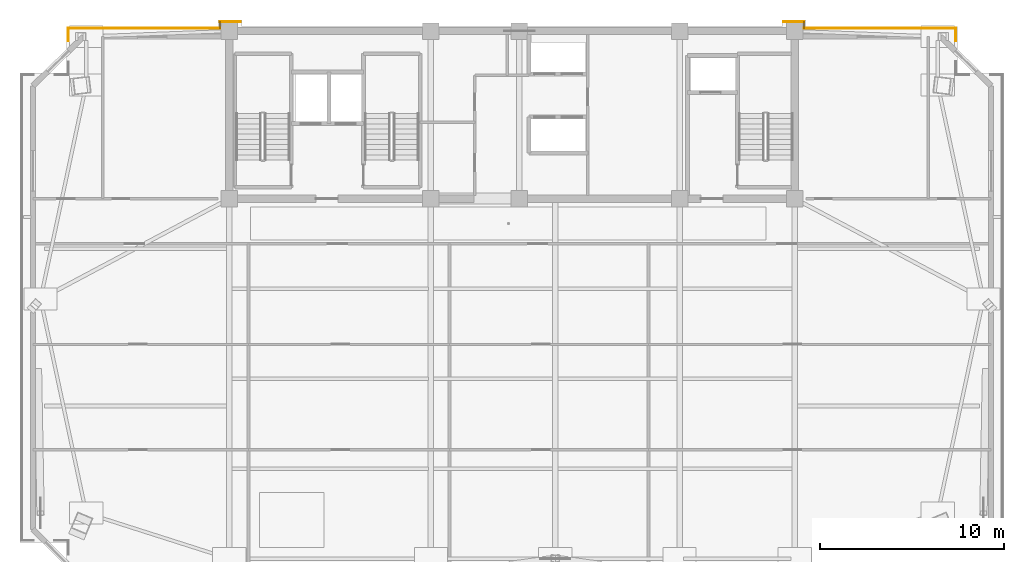
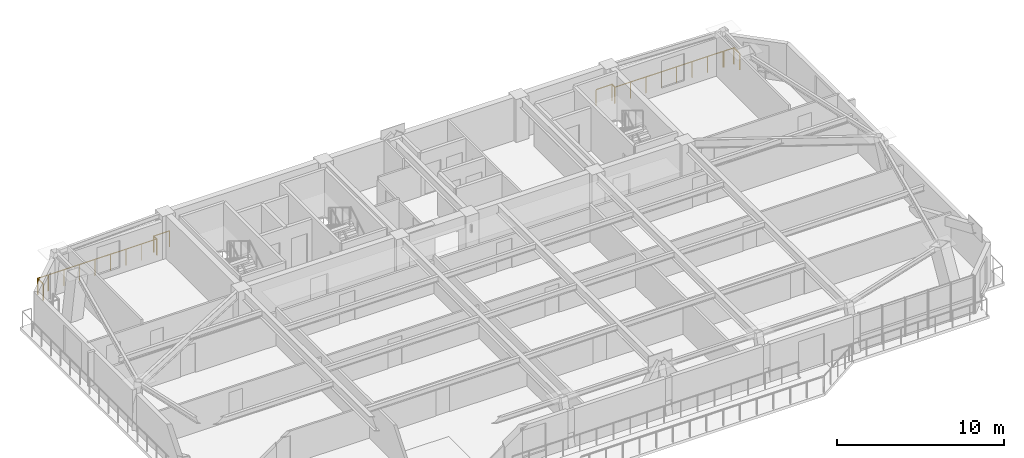
# One storey, part 15 of 15: 10 railings.
"""IFC4 building model written with IfcOpenShell, lengths in metres."""

from ifc_helpers import new_model, si_unit, direction, frame, origin, origin_2d, place, context, subcontext, project, spatial, rectangle, extrude, material, type_object, element, save


model = new_model("IFC4")

# Units and contexts
model_context = context("Model", 3, precision=1e-05, world=origin(), true_north=direction((0.0, 1.0)))
body_context = subcontext(model_context, "Body", "Model", "MODEL_VIEW")
ifc_project = project(units=[si_unit("LENGTHUNIT", "METRE"), si_unit("AREAUNIT", "SQUARE_METRE"), si_unit("VOLUMEUNIT", "CUBIC_METRE"), si_unit("PLANEANGLEUNIT", "RADIAN"), si_unit("MASSUNIT", "GRAM", prefix="KILO")], contexts=[model_context])

# Site, building, storey
site_placement = place(None, origin())
site = spatial("IfcSite", under=ifc_project, at=site_placement, CompositionType="ELEMENT")
building_placement = place(site_placement, origin())
building = spatial("IfcBuilding", under=site, at=building_placement, Name="Giltprow Tower", CompositionType="ELEMENT")
storey_placement = place(building_placement, frame((0.0, 0.0, 275.699951171875)))
storey = spatial("IfcBuildingStorey", under=building, at=storey_placement, Name="L71", CompositionType="ELEMENT", Elevation=275.699951171875)

# Railings
ifc_material = material(Name="Anodized bronze", Category="metal")
railing_type = type_object("IfcRailingType", Name="RAIL-BALC-GUARD-1200", PredefinedType="BALUSTRADE", material=ifc_material)
railing_1_placement = place(storey_placement, frame((11.116943359375, 46.01904296875, 0.0)))
element("IfcRailing", 1, at=railing_1_placement, inside=storey, type_object=railing_type, Name="L71 Corner Apron Edge Balustrade 17", PredefinedType="BALUSTRADE", context=body_context, shape_type="SweptSolid", body=[
    extrude(rectangle(XDim=0.048095703125, YDim=0.048095703125, at=origin_2d()), frame((0.0, 0.0, 1.17578125), z_axis=(0.0, 1.0, 0.0), x_axis=(-1.0, 0.0, 0.0)), (0.0, 0.0, 1.0), 0.680908203125),
    extrude(rectangle(XDim=0.0419921875, YDim=0.0419921875, at=origin_2d()), origin(), (0.0, 0.0, 1.0), 1.15185546875),
    extrude(rectangle(XDim=0.0419921875, YDim=0.0419921875, at=origin_2d()), frame((0.0, 0.680908203125, 0.0)), (0.0, 0.0, 1.0), 1.15185546875),
])
railing_2_placement = place(storey_placement, frame((11.116943359375, 46.699951171875, 0.0)))
element("IfcRailing", 2, at=railing_2_placement, inside=storey, type_object=railing_type, Name="L71 Corner Apron Edge Balustrade 18", PredefinedType="BALUSTRADE", context=body_context, shape_type="SweptSolid", body=[
    extrude(rectangle(XDim=0.048095703125, YDim=0.048095703125, at=origin_2d()), frame((0.0, 0.0, 1.17578125), z_axis=(1.0, 0.0, 0.0), x_axis=(0.0, 1.0, 0.0)), (0.0, 0.0, 1.0), 0.699951171875),
    extrude(rectangle(XDim=0.0419921875, YDim=0.0419921875, at=origin_2d()), origin(), (0.0, 0.0, 1.0), 1.15185546875),
    extrude(rectangle(XDim=0.0419921875, YDim=0.0419921875, at=origin_2d()), frame((0.699951171875, 0.0, 0.0)), (0.0, 0.0, 1.0), 1.15185546875),
])
railing_3_placement = place(storey_placement, frame((11.866943359375, 46.699951171875, 0.0)))
element("IfcRailing", 3, at=railing_3_placement, inside=storey, type_object=railing_type, Name="L71 Corner Apron Edge Balustrade 19", PredefinedType="BALUSTRADE", context=body_context, shape_type="SweptSolid", body=[
    extrude(rectangle(XDim=0.048095703125, YDim=0.048095703125, at=origin_2d()), frame((0.0, 0.0, 1.17578125), z_axis=(1.0, 0.0, 0.0), x_axis=(0.0, 1.0, 0.0)), (0.0, 0.0, 1.0), 7.483154296875),
    extrude(rectangle(XDim=0.0419921875, YDim=0.0419921875, at=origin_2d()), origin(), (0.0, 0.0, 1.0), 1.15185546875),
    extrude(rectangle(XDim=0.0419921875, YDim=0.0419921875, at=origin_2d()), frame((1.069091796875, 0.0, 0.0)), (0.0, 0.0, 1.0), 1.15185546875),
    extrude(rectangle(XDim=0.0419921875, YDim=0.0419921875, at=origin_2d()), frame((2.137939453125, 0.0, 0.0)), (0.0, 0.0, 1.0), 1.15185546875),
    extrude(rectangle(XDim=0.0419921875, YDim=0.0419921875, at=origin_2d()), frame((3.20703125, 0.0, 0.0)), (0.0, 0.0, 1.0), 1.15185546875),
    extrude(rectangle(XDim=0.0419921875, YDim=0.0419921875, at=origin_2d()), frame((4.276123046875, 0.0, 0.0)), (0.0, 0.0, 1.0), 1.15185546875),
    extrude(rectangle(XDim=0.0419921875, YDim=0.0419921875, at=origin_2d()), frame((5.34521484375, 0.0, 0.0)), (0.0, 0.0, 1.0), 1.15185546875),
    extrude(rectangle(XDim=0.0419921875, YDim=0.0419921875, at=origin_2d()), frame((6.4140625, 0.0, 0.0)), (0.0, 0.0, 1.0), 1.15185546875),
    extrude(rectangle(XDim=0.0419921875, YDim=0.0419921875, at=origin_2d()), frame((7.483154296875, 0.0, 0.0)), (0.0, 0.0, 1.0), 1.15185546875),
])
railing_4_placement = place(storey_placement, frame((19.35009765625, 46.699951171875, 0.0)))
element("IfcRailing", 4, at=railing_4_placement, inside=storey, type_object=railing_type, Name="L71 Corner Apron Edge Balustrade 20", PredefinedType="BALUSTRADE", context=body_context, shape_type="SweptSolid", body=[
    extrude(rectangle(XDim=0.048095703125, YDim=0.048095703125, at=origin_2d()), frame((0.0, 0.0, 1.17578125), z_axis=(0.0, 1.0, 0.0), x_axis=(-1.0, 0.0, 0.0)), (0.0, 0.0, 1.0), 0.35009765625),
    extrude(rectangle(XDim=0.0419921875, YDim=0.0419921875, at=origin_2d()), origin(), (0.0, 0.0, 1.0), 1.15185546875),
    extrude(rectangle(XDim=0.0419921875, YDim=0.0419921875, at=origin_2d()), frame((0.0, 0.35009765625, 0.0)), (0.0, 0.0, 1.0), 1.15185546875),
])
railing_5_placement = place(storey_placement, frame((19.35009765625, 47.050048828125, 0.0)))
element("IfcRailing", 5, at=railing_5_placement, inside=storey, type_object=railing_type, Name="L71 Corner Apron Edge Balustrade 21", PredefinedType="BALUSTRADE", context=body_context, shape_type="SweptSolid", body=[
    extrude(rectangle(XDim=0.048095703125, YDim=0.048095703125, at=origin_2d()), frame((0.0, 0.0, 1.17578125), z_axis=(1.0, 0.0, 0.0), x_axis=(0.0, 1.0, 0.0)), (0.0, 0.0, 1.0), 1.099853515625),
    extrude(rectangle(XDim=0.0419921875, YDim=0.0419921875, at=origin_2d()), origin(), (0.0, 0.0, 1.0), 1.15185546875),
    extrude(rectangle(XDim=0.0419921875, YDim=0.0419921875, at=origin_2d()), frame((1.099853515625, 0.0, 0.0)), (0.0, 0.0, 1.0), 1.15185546875),
])
railing_6_placement = place(storey_placement, frame((49.949951171875, 47.050048828125, 0.0)))
element("IfcRailing", 6, at=railing_6_placement, inside=storey, type_object=railing_type, Name="L71 Corner Apron Edge Balustrade 22", PredefinedType="BALUSTRADE", context=body_context, shape_type="SweptSolid", body=[
    extrude(rectangle(XDim=0.048095703125, YDim=0.048095703125, at=origin_2d()), frame((0.0, 0.0, 1.17578125), z_axis=(1.0, 0.0, 0.0), x_axis=(0.0, 1.0, 0.0)), (0.0, 0.0, 1.0), 1.10009765625),
    extrude(rectangle(XDim=0.0419921875, YDim=0.0419921875, at=origin_2d()), origin(), (0.0, 0.0, 1.0), 1.15185546875),
    extrude(rectangle(XDim=0.0419921875, YDim=0.0419921875, at=origin_2d()), frame((1.10009765625, 0.0, 0.0)), (0.0, 0.0, 1.0), 1.15185546875),
])
railing_7_placement = place(storey_placement, frame((51.050048828125, 47.050048828125, 0.0)))
element("IfcRailing", 7, at=railing_7_placement, inside=storey, type_object=railing_type, Name="L71 Corner Apron Edge Balustrade 23", PredefinedType="BALUSTRADE", context=body_context, shape_type="SweptSolid", body=[
    extrude(rectangle(XDim=0.048095703125, YDim=0.048095703125, at=origin_2d()), frame((0.0, 0.0, 1.17578125), z_axis=(0.0, -1.0, 0.0), x_axis=(1.0, 0.0, 0.0)), (0.0, 0.0, 1.0), 0.35009765625),
    extrude(rectangle(XDim=0.0419921875, YDim=0.0419921875, at=origin_2d()), origin(), (0.0, 0.0, 1.0), 1.15185546875),
    extrude(rectangle(XDim=0.0419921875, YDim=0.0419921875, at=origin_2d()), frame((0.0, -0.35009765625, 0.0)), (0.0, 0.0, 1.0), 1.15185546875),
])
railing_8_placement = place(storey_placement, frame((51.050048828125, 46.699951171875, 0.0)))
element("IfcRailing", 8, at=railing_8_placement, inside=storey, type_object=railing_type, Name="L71 Corner Apron Edge Balustrade 24", PredefinedType="BALUSTRADE", context=body_context, shape_type="SweptSolid", body=[
    extrude(rectangle(XDim=0.048095703125, YDim=0.048095703125, at=origin_2d()), frame((0.0, 0.0, 1.17578125), z_axis=(1.0, 0.0, 0.0), x_axis=(0.0, 1.0, 0.0)), (0.0, 0.0, 1.0), 7.48388671875),
    extrude(rectangle(XDim=0.0419921875, YDim=0.0419921875, at=origin_2d()), origin(), (0.0, 0.0, 1.0), 1.15185546875),
    extrude(rectangle(XDim=0.0419921875, YDim=0.0419921875, at=origin_2d()), frame((1.069091796875, 0.0, 0.0)), (0.0, 0.0, 1.0), 1.15185546875),
    extrude(rectangle(XDim=0.0419921875, YDim=0.0419921875, at=origin_2d()), frame((2.13818359375, 0.0, 0.0)), (0.0, 0.0, 1.0), 1.15185546875),
    extrude(rectangle(XDim=0.0419921875, YDim=0.0419921875, at=origin_2d()), frame((3.207275390625, 0.0, 0.0)), (0.0, 0.0, 1.0), 1.15185546875),
    extrude(rectangle(XDim=0.0419921875, YDim=0.0419921875, at=origin_2d()), frame((4.276611328125, 0.0, 0.0)), (0.0, 0.0, 1.0), 1.15185546875),
    extrude(rectangle(XDim=0.0419921875, YDim=0.0419921875, at=origin_2d()), frame((5.345703125, 0.0, 0.0)), (0.0, 0.0, 1.0), 1.15185546875),
    extrude(rectangle(XDim=0.0419921875, YDim=0.0419921875, at=origin_2d()), frame((6.414794921875, 0.0, 0.0)), (0.0, 0.0, 1.0), 1.15185546875),
    extrude(rectangle(XDim=0.0419921875, YDim=0.0419921875, at=origin_2d()), frame((7.48388671875, 0.0, 0.0)), (0.0, 0.0, 1.0), 1.15185546875),
])
railing_9_placement = place(storey_placement, frame((58.583984375, 46.699951171875, 0.0)))
element("IfcRailing", 9, at=railing_9_placement, inside=storey, type_object=railing_type, Name="L71 Corner Apron Edge Balustrade 25", PredefinedType="BALUSTRADE", context=body_context, shape_type="SweptSolid", body=[
    extrude(rectangle(XDim=0.048095703125, YDim=0.048095703125, at=origin_2d()), frame((0.0, 0.0, 1.17578125), z_axis=(1.0, 0.0, 0.0), x_axis=(0.0, 1.0, 0.0)), (0.0, 0.0, 1.0), 0.698974609375),
    extrude(rectangle(XDim=0.0419921875, YDim=0.0419921875, at=origin_2d()), origin(), (0.0, 0.0, 1.0), 1.15185546875),
    extrude(rectangle(XDim=0.0419921875, YDim=0.0419921875, at=origin_2d()), frame((0.698974609375, 0.0, 0.0)), (0.0, 0.0, 1.0), 1.15185546875),
])
railing_10_placement = place(storey_placement, frame((59.282958984375, 46.699951171875, 0.0)))
element("IfcRailing", 10, at=railing_10_placement, inside=storey, type_object=railing_type, Name="L71 Corner Apron Edge Balustrade 26", PredefinedType="BALUSTRADE", context=body_context, shape_type="SweptSolid", body=[
    extrude(rectangle(XDim=0.048095703125, YDim=0.048095703125, at=origin_2d()), frame((0.0, 0.0, 1.17578125), z_axis=(0.0, -1.0, 0.0), x_axis=(1.0, 0.0, 0.0)), (0.0, 0.0, 1.0), 0.679931640625),
    extrude(rectangle(XDim=0.0419921875, YDim=0.0419921875, at=origin_2d()), origin(), (0.0, 0.0, 1.0), 1.15185546875),
    extrude(rectangle(XDim=0.0419921875, YDim=0.0419921875, at=origin_2d()), frame((0.0, -0.679931640625, 0.0)), (0.0, 0.0, 1.0), 1.15185546875),
])

save(model, "model.ifc")
